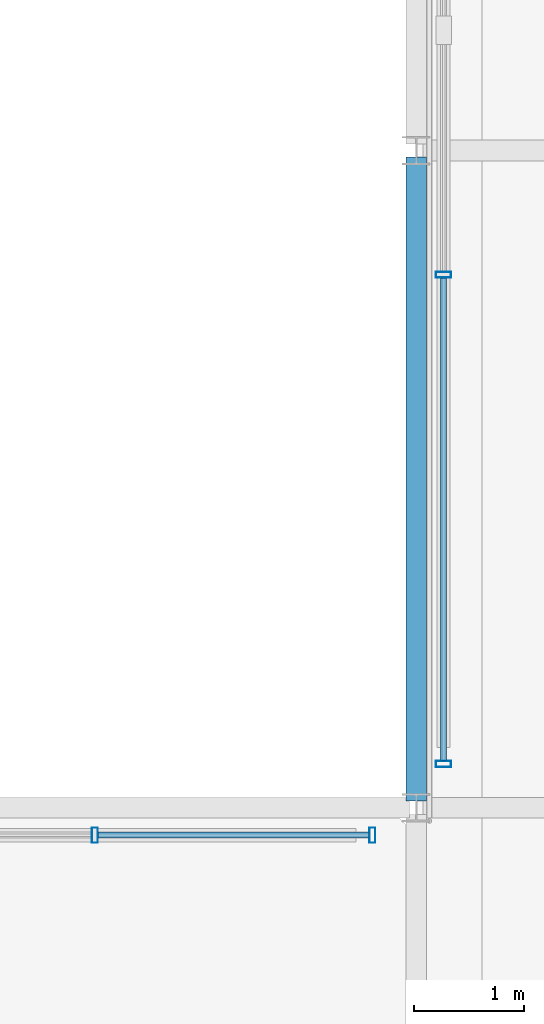
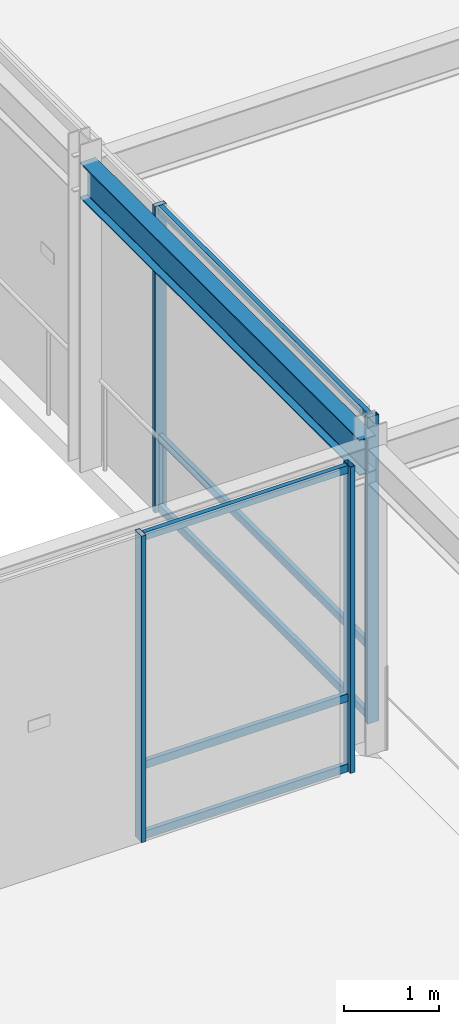
# One storey, part 31 of 152: 10 members, 1 beam, 2 elements without a shape of their own.
"""IFC4 building model written with IfcOpenShell, lengths in metres."""

import ifcopenshell
import ifcopenshell.guid

model = None  # the IFC model being written
_history = None  # IfcOwnerHistory: only IFC2X3 demands one
_inside = {}  # id of a spatial element -> (the spatial element, [elements in it])
_under = {}  # id of a project, library or spatial element -> (it, [spatial elements below it])
_declared = {}  # id of a project -> (the project, [libraries it declares])
_typed = {}  # id of a type object -> (the type object, [elements of that type])
_made_of = {}  # id of a material, layer set ... -> (it, [elements and type objects made of it])


def new_model(schema):
    """Start an empty IFC model of exactly this schema.

    Asked for "IFC4X3", IfcOpenShell would pick the latest addendum, in which some entities
    have other attributes; the version numbers below select the first issue.
    IFC2X3 requires an IfcOwnerHistory on every rooted entity: one is made here for all.
    """
    global model, _history
    if schema == "IFC4X3":
        model = ifcopenshell.file(schema_version=(4, 3, 0, 0))
    else:
        model = ifcopenshell.file(schema=schema)
    _inside.clear()
    _under.clear()
    _declared.clear()
    _typed.clear()
    _made_of.clear()
    _history = None
    if model.schema == "IFC2X3":
        org = make("IfcOrganization", Name="unknown")
        user = make(
            "IfcPersonAndOrganization",
            ThePerson=make("IfcPerson", FamilyName="unknown"),
            TheOrganization=org,
        )
        app = make(
            "IfcApplication",
            ApplicationDeveloper=org,
            Version="unknown",
            ApplicationFullName="unknown",
            ApplicationIdentifier="unknown",
        )
        _history = make(
            "IfcOwnerHistory",
            OwningUser=user,
            OwningApplication=app,
            ChangeAction="ADDED",
            CreationDate=0,
        )
    return model


def make(cls, **values):
    """One entity of the class cls with the attributes given. An attribute that is None is left unset."""
    return model.create_entity(
        cls, **{name: value for name, value in values.items() if value is not None}
    )


def rooted(cls, **values):
    """An entity with a GlobalId (a new one), such as an element, a storey or a relation."""
    return make(cls, GlobalId=ifcopenshell.guid.new(), OwnerHistory=_history, **values)


def si_unit(unit_type, name, prefix=None):
    """IfcSIUnit, for example si_unit("LENGTHUNIT", "METRE", prefix="MILLI")."""
    return make("IfcSIUnit", UnitType=unit_type, Prefix=prefix, Name=name)


def assignment(units):
    """IfcUnitAssignment: the units of a project."""
    return None if units is None else make("IfcUnitAssignment", Units=units)


def point(xyz):
    """IfcCartesianPoint."""
    return None if xyz is None else make("IfcCartesianPoint", Coordinates=xyz)


def direction(xyz):
    """IfcDirection."""
    return None if xyz is None else make("IfcDirection", DirectionRatios=xyz)


def frame(location, z_axis=None, x_axis=None):
    """IfcAxis2Placement3D, a coordinate frame: its origin and axes. An axis left out is left unset."""
    return make(
        "IfcAxis2Placement3D",
        Location=point(location),
        Axis=direction(z_axis),
        RefDirection=direction(x_axis),
    )


def frame_2d(location, x_axis=None):
    """IfcAxis2Placement2D, a coordinate frame in the plane: its origin and x axis."""
    return make(
        "IfcAxis2Placement2D", Location=point(location), RefDirection=direction(x_axis)
    )


def origin():
    """The frame at (0, 0, 0) with its axes left unset."""
    return frame((0.0, 0.0, 0.0))


def origin_2d():
    """The frame at (0, 0) in the plane with its x axis left unset."""
    return frame_2d((0.0, 0.0))


def place(relative_to, where):
    """IfcLocalPlacement: puts the frame where relative to a parent placement (None: the world)."""
    return make(
        "IfcLocalPlacement", PlacementRelTo=relative_to, RelativePlacement=where
    )


def context(
    kind, dimensions, precision=None, world=None, true_north=None, identifier=None
):
    """IfcGeometricRepresentationContext, for example the 3D "Model" context."""
    return make(
        "IfcGeometricRepresentationContext",
        ContextIdentifier=identifier,
        ContextType=kind,
        CoordinateSpaceDimension=dimensions,
        Precision=precision,
        WorldCoordinateSystem=world,
        TrueNorth=true_north,
    )


def subcontext(parent, identifier, kind, view, scale=None):
    """IfcGeometricRepresentationSubContext, for example "Body" below "Model"."""
    return make(
        "IfcGeometricRepresentationSubContext",
        ContextIdentifier=identifier,
        ContextType=kind,
        ParentContext=parent,
        TargetScale=scale,
        TargetView=view,
    )


def project(units=None, contexts=None):
    """IfcProject with its units and contexts."""
    return rooted(
        "IfcProject",
        Name="project",
        RepresentationContexts=contexts,
        UnitsInContext=assignment(units),
    )


def spatial(cls, under=None, at=None, **own):
    """A site, building, storey or space (cls), placed at a placement, below another one or the project."""
    s = rooted(cls, ObjectPlacement=at, **own)
    if under is not None:
        _under.setdefault(under.id(), (under, []))[1].append(s)
    return s


def profile(cls, at=None, kind="AREA", **sizes):
    """A parametric profile (cls). Its sizes go by their IFC names, for example OverallWidth=200.0."""
    return make(cls, ProfileType=kind, Position=at, **sizes)


def hollow_rectangle(**sizes):
    """IfcRectangleHollowProfileDef."""
    return profile("IfcRectangleHollowProfileDef", **sizes)


def i_section(**sizes):
    """IfcIShapeProfileDef."""
    return profile("IfcIShapeProfileDef", **sizes)


def extrude(swept, where, along, depth):
    """IfcExtrudedAreaSolid: the profile swept, set in the frame where, extruded along a direction by depth."""
    return make(
        "IfcExtrudedAreaSolid",
        SweptArea=swept,
        Position=where,
        ExtrudedDirection=direction(along),
        Depth=depth,
    )


def shape(context_of_items, identifier, shape_type, items):
    """IfcShapeRepresentation: the items that make up one representation, for example the "Body"."""
    return make(
        "IfcShapeRepresentation",
        ContextOfItems=context_of_items,
        RepresentationIdentifier=identifier,
        RepresentationType=shape_type,
        Items=items,
    )


def material(Name=None, Category=None):
    """IfcMaterial."""
    return make("IfcMaterial", Name=Name, Category=Category)


def material_profile(
    of_material, cross_section, Name=None, Category=None, Priority=None
):
    """IfcMaterialProfile: a cross section and its material."""
    return make(
        "IfcMaterialProfile",
        Name=Name,
        Material=of_material,
        Profile=cross_section,
        Priority=Priority,
        Category=Category,
    )


def profile_set(profiles, Name=None, composite=None):
    """IfcMaterialProfileSet."""
    return make(
        "IfcMaterialProfileSet",
        Name=Name,
        MaterialProfiles=profiles,
        CompositeProfile=composite,
    )


def made_of(thing, what):
    """Note that an element or type object is made of a material, layer set ...; save() writes the relation."""
    if what is not None:
        _made_of.setdefault(what.id(), (what, []))[1].append(thing)
    return thing


def type_object(cls, material=None, **own):
    """A type object (cls), such as IfcWallType, which elements share."""
    return made_of(rooted(cls, **own), material)


def element(
    cls,
    number,
    at=None,
    inside=None,
    cuts=None,
    type_object=None,
    material=None,
    context=None,
    identifier="Body",
    shape_type=None,
    held_by="IfcProductDefinitionShape",
    body=None,
    shapes=None,
    **own,
):
    """One element of the class cls, such as IfcWall. Its Tag is "e" and its number.

    at: its placement. inside: the storey or other place that contains it. cuts: it is an
    opening in that element (IfcRelVoidsElement). A single representation is given by context,
    identifier, shape_type and body (its items); several are given by shapes. held_by: the class
    of the entity that holds the representations. save() writes the other relations.
    """
    e = rooted(cls, Tag="e%d" % number, ObjectPlacement=at, **own)
    if body is not None:
        shapes = [shape(context, identifier, shape_type, body)]
    if shapes is not None:
        e.Representation = make(held_by, Representations=shapes)
    if inside is not None:
        _inside.setdefault(inside.id(), (inside, []))[1].append(e)
    if cuts is not None:
        rooted(
            "IfcRelVoidsElement", RelatingBuildingElement=cuts, RelatedOpeningElement=e
        )
    if type_object is not None:
        _typed.setdefault(type_object.id(), (type_object, []))[1].append(e)
    return made_of(e, material)


def aggregate(whole, parts):
    """IfcRelAggregates: a whole, such as a stair, and the parts it consists of."""
    return rooted("IfcRelAggregates", RelatingObject=whole, RelatedObjects=parts)


def save(model, path):
    """Write the relations noted so far, then the file.

    IfcRelAggregates (storeys below a building ...), IfcRelContainedInSpatialStructure (elements
    in a storey), IfcRelDefinesByType, IfcRelAssociatesMaterial and IfcRelDeclares: one each for
    every whole, place, type object, material and project.
    """
    for whole, parts in _under.values():
        aggregate(whole, parts)
    for where, things in _inside.values():
        rooted(
            "IfcRelContainedInSpatialStructure",
            RelatedElements=things,
            RelatingStructure=where,
        )
    for kind, things in _typed.values():
        rooted("IfcRelDefinesByType", RelatedObjects=things, RelatingType=kind)
    for what, things in _made_of.values():
        rooted("IfcRelAssociatesMaterial", RelatedObjects=things, RelatingMaterial=what)
    for by, libraries in _declared.values():
        rooted("IfcRelDeclares", RelatingContext=by, RelatedDefinitions=libraries)
    model.write(path)


model = new_model("IFC4")

# Units and contexts
model_context = context("Model", 3, precision=1e-05, world=origin(), true_north=direction((0.0, 1.0)))
body_context = subcontext(model_context, "Body", "Model", "MODEL_VIEW")
ifc_project = project(units=[si_unit("LENGTHUNIT", "METRE"), si_unit("AREAUNIT", "SQUARE_METRE"), si_unit("VOLUMEUNIT", "CUBIC_METRE"), si_unit("PLANEANGLEUNIT", "RADIAN"), si_unit("MASSUNIT", "GRAM", prefix="KILO"), si_unit("THERMODYNAMICTEMPERATUREUNIT", "KELVIN"), si_unit("POWERUNIT", "WATT")], contexts=[model_context])

# Site, building, storey
site_placement = place(None, origin())
site = spatial("IfcSite", under=ifc_project, at=site_placement, CompositionType="ELEMENT")
building_placement = place(site_placement, origin())
building = spatial("IfcBuilding", under=site, at=building_placement, Name="Darbajah Civic Hall", CompositionType="ELEMENT")
storey_placement = place(building_placement, frame((0.0, 0.0, 5.39990234375)))
storey = spatial("IfcBuildingStorey", under=building, at=storey_placement, Name="L01", CompositionType="ELEMENT", Elevation=5.39990234375)

# Curtain wall, members
ifc_material_1 = material(Name="Anodised Bronze Aluminium and Low-E Glazing", Category="aluminium")
curtain_wall_type_1 = type_object("IfcCurtainWallType", Name="Unitised Curtain Wall CW-103 7600x3950", PredefinedType="USERDEFINED", material=ifc_material_1)
curtain_wall_1_placement = place(storey_placement, origin())
curtain_wall_1 = element("IfcCurtainWall", 1, at=curtain_wall_1_placement, inside=storey, type_object=curtain_wall_type_1, Name="L01 unitised curtain wall CW-V6-SW-N2-L01", ObjectType="UNITISED CURTAIN WALL", PredefinedType="USERDEFINED")
ifc_material_2 = material(Name="Anodised Bronze Aluminium", Category="aluminium")
ifc_material_profile_1 = material_profile(ifc_material_2, hollow_rectangle(XDim=0.054931640625, YDim=0.139892578125, WallThickness=0.003173828125, at=origin_2d()), Name="ALU MULLION 55x140")
ifc_profile_set_1 = profile_set([ifc_material_profile_1], Name="Anodised Bronze Aluminium")
member_type_1 = type_object("IfcMemberType", Name="ALU MULLION 55x140", PredefinedType="MULLION", material=ifc_profile_set_1)
member_1_placement = place(storey_placement, frame((81.066650390625, 41.75, 0.0), z_axis=(0.0, 0.0, 1.0), x_axis=(1.0, 0.0, 0.0)))
member_1 = element("IfcMember", 2, at=member_1_placement, type_object=member_type_1, Name="CW-V6-SW-N2-L01 mullion 3", PredefinedType="MULLION", context=body_context, shape_type="SweptSolid", body=[
    extrude(hollow_rectangle(XDim=0.054931640625, YDim=0.139892578125, WallThickness=0.003173828125, at=origin_2d()), origin(), (0.0, 0.0, 1.0), 3.93017578125),
])
member_2_placement = place(storey_placement, frame((83.60009765625, 41.75, 0.0), z_axis=(0.0, 0.0, 1.0), x_axis=(1.0, 0.0, 0.0)))
member_2 = element("IfcMember", 3, at=member_2_placement, type_object=member_type_1, Name="CW-V6-SW-N2-L01 mullion 4", PredefinedType="MULLION", context=body_context, shape_type="SweptSolid", body=[
    extrude(hollow_rectangle(XDim=0.054931640625, YDim=0.139892578125, WallThickness=0.003173828125, at=origin_2d()), origin(), (0.0, 0.0, 1.0), 3.93017578125),
])

curtain_wall_type_2 = type_object("IfcCurtainWallType", Name="Unitised Curtain Wall CW-104 13400x3950", PredefinedType="USERDEFINED", material=ifc_material_1)
curtain_wall_2_placement = place(storey_placement, origin())
curtain_wall_2 = element("IfcCurtainWall", 4, at=curtain_wall_2_placement, inside=storey, type_object=curtain_wall_type_2, Name="L01 unitised curtain wall CW-V6-PW-L01", ObjectType="UNITISED CURTAIN WALL", PredefinedType="USERDEFINED")
member_3_placement = place(storey_placement, frame((84.25, 42.39990234375, 0.0), z_axis=(0.0, 0.0, 1.0), x_axis=(0.0, 1.0, 0.0)))
member_3 = element("IfcMember", 5, at=member_3_placement, type_object=member_type_1, Name="CW-V6-PW-L01 mullion 1", PredefinedType="MULLION", context=body_context, shape_type="SweptSolid", body=[
    extrude(hollow_rectangle(XDim=0.054931640625, YDim=0.139892578125, WallThickness=0.003173828125, at=origin_2d()), origin(), (0.0, 0.0, 1.0), 3.93017578125),
])
member_4_placement = place(storey_placement, frame((84.25, 46.86669921875, 0.0), z_axis=(0.0, 0.0, 1.0), x_axis=(0.0, 1.0, 0.0)))
member_4 = element("IfcMember", 6, at=member_4_placement, type_object=member_type_1, Name="CW-V6-PW-L01 mullion 2", PredefinedType="MULLION", context=body_context, shape_type="SweptSolid", body=[
    extrude(hollow_rectangle(XDim=0.054931640625, YDim=0.139892578125, WallThickness=0.003173828125, at=origin_2d()), origin(), (0.0, 0.0, 1.0), 3.93017578125),
])

# Member
ifc_material_profile_2 = material_profile(ifc_material_2, hollow_rectangle(XDim=0.054931640625, YDim=0.10009765625, WallThickness=0.0029296875, at=origin_2d()), Name="ALU TRANSOM 55x100")
ifc_profile_set_2 = profile_set([ifc_material_profile_2], Name="Anodised Bronze Aluminium")
member_type_2 = type_object("IfcMemberType", Name="ALU TRANSOM 55x100", PredefinedType="USERDEFINED", material=ifc_profile_set_2)
member_5_placement = place(storey_placement, frame((81.09912109375, 41.75, 0.050048828125), z_axis=(1.0, 0.0, 0.0), x_axis=(0.0, 1.0, 0.0)))
member_5 = element("IfcMember", 7, at=member_5_placement, type_object=member_type_2, Name="CW-V6-SW-N2-L01 transom 3.1", ObjectType="TRANSOM", PredefinedType="USERDEFINED", context=body_context, shape_type="SweptSolid", body=[
    extrude(hollow_rectangle(XDim=0.054931640625, YDim=0.10009765625, WallThickness=0.0029296875, at=origin_2d()), origin(), (0.0, 0.0, 1.0), 2.46826171875),
])

member_6_placement = place(storey_placement, frame((81.09912109375, 41.75, 0.9501953125), z_axis=(1.0, 0.0, 0.0), x_axis=(0.0, 1.0, 0.0)))
member_6 = element("IfcMember", 8, at=member_6_placement, type_object=member_type_2, Name="CW-V6-SW-N2-L01 transom 3.2", ObjectType="TRANSOM", PredefinedType="USERDEFINED", context=body_context, shape_type="SweptSolid", body=[
    extrude(hollow_rectangle(XDim=0.054931640625, YDim=0.10009765625, WallThickness=0.0029296875, at=origin_2d()), origin(), (0.0, 0.0, 1.0), 2.46826171875),
])

member_7_placement = place(storey_placement, frame((81.09912109375, 41.75, 3.880126953125), z_axis=(1.0, 0.0, 0.0), x_axis=(0.0, 1.0, 0.0)))
member_7 = element("IfcMember", 9, at=member_7_placement, type_object=member_type_2, Name="CW-V6-SW-N2-L01 transom 3.3", ObjectType="TRANSOM", PredefinedType="USERDEFINED", context=body_context, shape_type="SweptSolid", body=[
    extrude(hollow_rectangle(XDim=0.054931640625, YDim=0.10009765625, WallThickness=0.0029296875, at=origin_2d()), origin(), (0.0, 0.0, 1.0), 2.46826171875),
])

aggregate(curtain_wall_1, [member_1, member_2, member_5, member_6, member_7])

member_8_placement = place(storey_placement, frame((84.25, 42.4326171875, 0.050048828125), z_axis=(0.0, 1.0, 0.0), x_axis=(-1.0, 0.0, 0.0)))
member_8 = element("IfcMember", 10, at=member_8_placement, type_object=member_type_2, Name="CW-V6-PW-L01 transom 1.1", ObjectType="TRANSOM", PredefinedType="USERDEFINED", context=body_context, shape_type="SweptSolid", body=[
    extrude(hollow_rectangle(XDim=0.054931640625, YDim=0.10009765625, WallThickness=0.0029296875, at=origin_2d()), origin(), (0.0, 0.0, 1.0), 4.401611328125),
])

member_9_placement = place(storey_placement, frame((84.25, 42.4326171875, 0.9501953125), z_axis=(0.0, 1.0, 0.0), x_axis=(-1.0, 0.0, 0.0)))
member_9 = element("IfcMember", 11, at=member_9_placement, type_object=member_type_2, Name="CW-V6-PW-L01 transom 1.2", ObjectType="TRANSOM", PredefinedType="USERDEFINED", context=body_context, shape_type="SweptSolid", body=[
    extrude(hollow_rectangle(XDim=0.054931640625, YDim=0.10009765625, WallThickness=0.0029296875, at=origin_2d()), origin(), (0.0, 0.0, 1.0), 4.401611328125),
])

member_10_placement = place(storey_placement, frame((84.25, 42.4326171875, 3.880126953125), z_axis=(0.0, 1.0, 0.0), x_axis=(-1.0, 0.0, 0.0)))
member_10 = element("IfcMember", 12, at=member_10_placement, type_object=member_type_2, Name="CW-V6-PW-L01 transom 1.3", ObjectType="TRANSOM", PredefinedType="USERDEFINED", context=body_context, shape_type="SweptSolid", body=[
    extrude(hollow_rectangle(XDim=0.054931640625, YDim=0.10009765625, WallThickness=0.0029296875, at=origin_2d()), origin(), (0.0, 0.0, 1.0), 4.401611328125),
])

aggregate(curtain_wall_2, [member_3, member_4, member_8, member_9, member_10])

# Beam
ifc_material_3 = material(Name="Steel S355JR", Category="steel")
ifc_material_profile_3 = material_profile(ifc_material_3, i_section(OverallWidth=0.1904296875, OverallDepth=0.45703125, WebThickness=0.009033203125, FlangeThickness=0.014404296875, FilletRadius=0.01025390625, at=origin_2d()), Name="UB 457x191x74")
ifc_profile_set_3 = profile_set([ifc_material_profile_3], Name="Steel S355JR")
beam_type = type_object("IfcBeamType", Name="UB 457x191x74", PredefinedType="BEAM", material=ifc_profile_set_3)
beam_placement = place(storey_placement, frame((84.0, 42.06005859375, 3.70166015625), z_axis=(0.0, 1.0, 0.0), x_axis=(-1.0, 0.0, 0.0)))
element("IfcBeam", 13, at=beam_placement, inside=storey, type_object=beam_type, Name="L01 beam SB-457", PredefinedType="BEAM", context=body_context, shape_type="SweptSolid", body=[
    extrude(i_section(OverallWidth=0.1904296875, OverallDepth=0.45703125, WebThickness=0.009033203125, FlangeThickness=0.014404296875, FilletRadius=0.01025390625, at=origin_2d()), origin(), (0.0, 0.0, 1.0), 5.8798828125),
])

save(model, "model.ifc")
